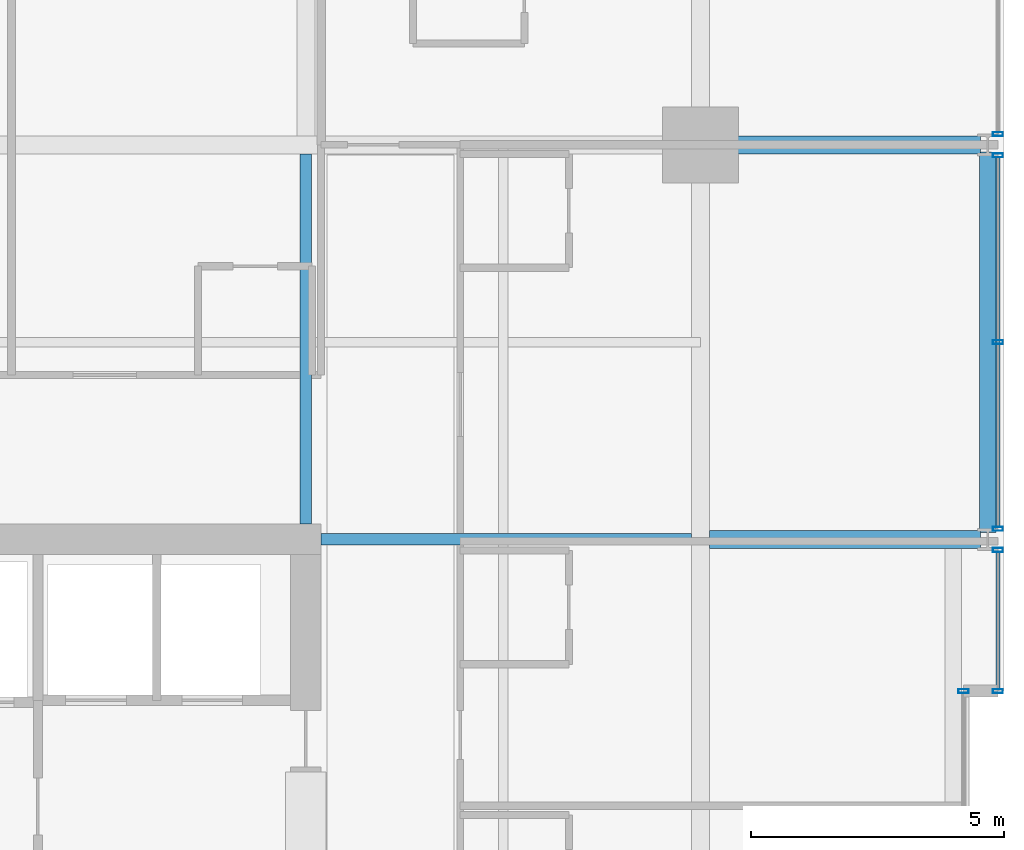
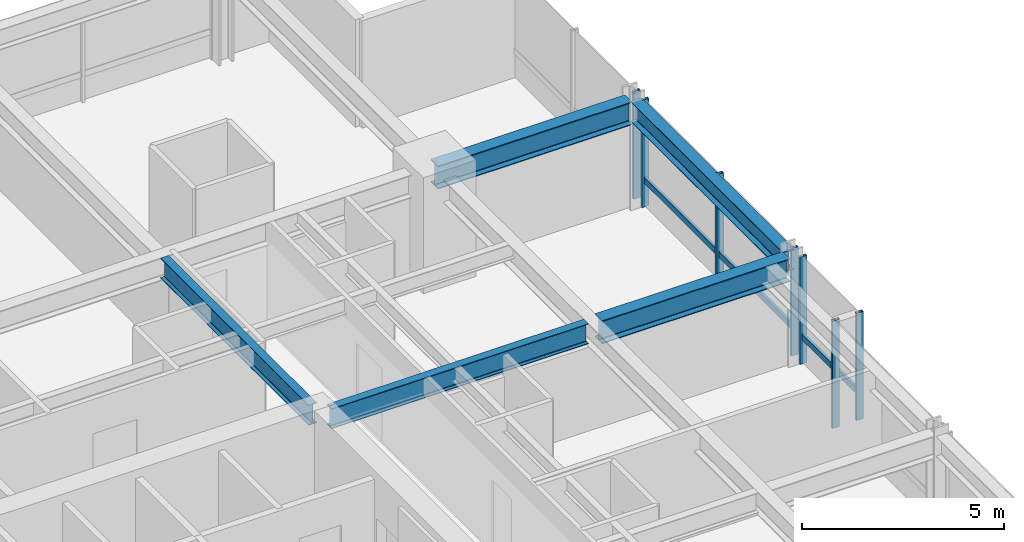
# One storey, part 23 of 35: 9 members, 5 beams, 4 elements without a shape of their own.
"""IFC4 building model written with IfcOpenShell, lengths in metres."""

from ifc_helpers import new_model, si_unit, direction, frame, origin, origin_2d, place, context, subcontext, project, spatial, hollow_rectangle, i_section, extrude, material, layer, layer_set, material_profile, profile_set, type_object, element, aggregate, save


model = new_model("IFC4")

# Units and contexts
model_context = context("Model", 3, precision=1e-05, world=origin(), true_north=direction((0.0, 1.0)))
body_context = subcontext(model_context, "Body", "Model", "MODEL_VIEW")
ifc_project = project(units=[si_unit("LENGTHUNIT", "METRE"), si_unit("AREAUNIT", "SQUARE_METRE"), si_unit("VOLUMEUNIT", "CUBIC_METRE"), si_unit("PLANEANGLEUNIT", "RADIAN"), si_unit("MASSUNIT", "GRAM", prefix="KILO")], contexts=[model_context])

# Site, building, storey
site_placement = place(None, origin())
site = spatial("IfcSite", under=ifc_project, at=site_placement, CompositionType="ELEMENT")
building_placement = place(site_placement, origin())
building = spatial("IfcBuilding", under=site, at=building_placement, Name="Drelvath Grand Hotel", CompositionType="ELEMENT")
storey_placement = place(building_placement, frame((0.0, 0.0, 123.300048828125)))
storey = spatial("IfcBuildingStorey", under=building, at=storey_placement, Name="L31", CompositionType="ELEMENT", Elevation=123.300048828125)

# Curtain wall, member
ifc_material_1 = material(Name="Champagne Bronze Anodised Aluminium Frame", Category="aluminium")
ifc_layer = layer(ifc_material_1, 0.199951171875)
ifc_layer_set = layer_set([ifc_layer], Name="Champagne Bronze Anodised Aluminium Frame")
curtain_wall_type = type_object("IfcCurtainWallType", Name="Stick Curtain Wall CW-03 Champagne Bronze Mid-Rise", PredefinedType="NOTDEFINED", material=ifc_layer_set)
curtain_wall_1_placement = place(storey_placement, origin())
curtain_wall_1 = element("IfcCurtainWall", 1, at=curtain_wall_1_placement, inside=storey, type_object=curtain_wall_type, Name="L31 CW-03 Curtain Wall CW03-L31-EN1", PredefinedType="NOTDEFINED")
ifc_material_profile_1 = material_profile(ifc_material_1, hollow_rectangle(XDim=0.074951171875, YDim=0.179931640625, WallThickness=0.0048828125, at=origin_2d()), Name="HSS180X75X5")
ifc_profile_set_1 = profile_set([ifc_material_profile_1], Name="Champagne Bronze Anodised Aluminium Frame")
member_type_1 = type_object("IfcMemberType", Name="Curtain Wall Horizontal Transom CW-03 HSS180X75X5", PredefinedType="USERDEFINED", material=ifc_profile_set_1)
member_1_placement = place(storey_placement, frame((22.080078125, 35.150634765625, 0.81005859375), z_axis=(0.0, -1.0, 0.0), x_axis=(1.0, 0.0, 0.0)))
member_1 = element("IfcMember", 2, at=member_1_placement, type_object=member_type_1, Name="CW03-L31-EN1 Sill Transom", ObjectType="TRANSOM", PredefinedType="USERDEFINED", context=body_context, shape_type="SweptSolid", body=[
    extrude(hollow_rectangle(XDim=0.074951171875, YDim=0.179931640625, WallThickness=0.0048828125, at=origin_2d()), origin(), (0.0, 0.0, 1.0), 2.710693359375),
])

curtain_wall_2_placement = place(storey_placement, origin())
curtain_wall_2 = element("IfcCurtainWall", 3, at=curtain_wall_2_placement, inside=storey, type_object=curtain_wall_type, Name="L31 CW-03 Curtain Wall CW03-L31-EN2", PredefinedType="NOTDEFINED")
member_2_placement = place(storey_placement, frame((22.080078125, 42.95068359375, 0.81005859375), z_axis=(0.0, -1.0, 0.0), x_axis=(1.0, 0.0, 0.0)))
member_2 = element("IfcMember", 4, at=member_2_placement, type_object=member_type_1, Name="CW03-L31-EN2 Sill Transom", ObjectType="TRANSOM", PredefinedType="USERDEFINED", context=body_context, shape_type="SweptSolid", body=[
    extrude(hollow_rectangle(XDim=0.074951171875, YDim=0.179931640625, WallThickness=0.0048828125, at=origin_2d()), origin(), (0.0, 0.0, 1.0), 7.30126953125),
])

# Member
ifc_material_profile_2 = material_profile(ifc_material_1, hollow_rectangle(XDim=0.080078125, YDim=0.199951171875, WallThickness=0.0048828125, at=origin_2d()), Name="HSS200X80X5")
ifc_profile_set_2 = profile_set([ifc_material_profile_2], Name="Champagne Bronze Anodised Aluminium Frame")
member_type_2 = type_object("IfcMemberType", Name="Curtain Wall Vertical Mullion CW-03 HSS200X80X5", PredefinedType="MULLION", material=ifc_profile_set_2)
member_3_placement = place(storey_placement, frame((22.080078125, 35.190673828125, 0.0), z_axis=(0.0, 0.0, 1.0), x_axis=(0.0, 1.0, 0.0)))
member_3 = element("IfcMember", 5, at=member_3_placement, type_object=member_type_2, Name="CW03-L31-EN1 Mullion 1", PredefinedType="MULLION", context=body_context, shape_type="SweptSolid", body=[
    extrude(hollow_rectangle(XDim=0.080078125, YDim=0.199951171875, WallThickness=0.0048828125, at=origin_2d()), origin(), (0.0, 0.0, 1.0), 3.239990234375),
])

member_4_placement = place(storey_placement, frame((22.080078125, 32.39990234375, 0.0), z_axis=(0.0, 0.0, 1.0), x_axis=(0.0, 1.0, 0.0)))
member_4 = element("IfcMember", 6, at=member_4_placement, type_object=member_type_2, Name="CW03-L31-EN1 Mullion 2", PredefinedType="MULLION", context=body_context, shape_type="SweptSolid", body=[
    extrude(hollow_rectangle(XDim=0.080078125, YDim=0.199951171875, WallThickness=0.0048828125, at=origin_2d()), origin(), (0.0, 0.0, 1.0), 3.239990234375),
])

aggregate(curtain_wall_1, [member_3, member_4, member_1])

member_5_placement = place(storey_placement, frame((22.080078125, 42.990478515625, 0.0), z_axis=(0.0, 0.0, 1.0), x_axis=(0.0, 1.0, 0.0)))
member_5 = element("IfcMember", 7, at=member_5_placement, type_object=member_type_2, Name="CW03-L31-EN2 Mullion 1", PredefinedType="MULLION", context=body_context, shape_type="SweptSolid", body=[
    extrude(hollow_rectangle(XDim=0.080078125, YDim=0.199951171875, WallThickness=0.0048828125, at=origin_2d()), origin(), (0.0, 0.0, 1.0), 3.239990234375),
])

member_6_placement = place(storey_placement, frame((22.080078125, 39.300048828125, 0.0), z_axis=(0.0, 0.0, 1.0), x_axis=(0.0, 1.0, 0.0)))
member_6 = element("IfcMember", 8, at=member_6_placement, type_object=member_type_2, Name="CW03-L31-EN2 Mullion 2", PredefinedType="MULLION", context=body_context, shape_type="SweptSolid", body=[
    extrude(hollow_rectangle(XDim=0.080078125, YDim=0.199951171875, WallThickness=0.0048828125, at=origin_2d()), origin(), (0.0, 0.0, 1.0), 3.239990234375),
])

member_7_placement = place(storey_placement, frame((22.080078125, 35.609375, 0.0), z_axis=(0.0, 0.0, 1.0), x_axis=(0.0, 1.0, 0.0)))
member_7 = element("IfcMember", 9, at=member_7_placement, type_object=member_type_2, Name="CW03-L31-EN2 Mullion 3", PredefinedType="MULLION", context=body_context, shape_type="SweptSolid", body=[
    extrude(hollow_rectangle(XDim=0.080078125, YDim=0.199951171875, WallThickness=0.0048828125, at=origin_2d()), origin(), (0.0, 0.0, 1.0), 3.239990234375),
])

aggregate(curtain_wall_2, [member_5, member_6, member_7, member_2])

# Curtain wall, member
curtain_wall_3_placement = place(storey_placement, origin())
curtain_wall_3 = element("IfcCurtainWall", 10, at=curtain_wall_3_placement, inside=storey, type_object=curtain_wall_type, Name="L31 CW-03 Curtain Wall CW03-L31-EN3", PredefinedType="NOTDEFINED")
member_8_placement = place(storey_placement, frame((22.080078125, 43.409423828125, 0.0), z_axis=(0.0, 0.0, 1.0), x_axis=(0.0, 1.0, 0.0)))
member_8 = element("IfcMember", 11, at=member_8_placement, type_object=member_type_2, Name="CW03-L31-EN3 Mullion 3", PredefinedType="MULLION", context=body_context, shape_type="SweptSolid", body=[
    extrude(hollow_rectangle(XDim=0.080078125, YDim=0.199951171875, WallThickness=0.0048828125, at=origin_2d()), origin(), (0.0, 0.0, 1.0), 3.239990234375),
])
aggregate(curtain_wall_3, [member_8])

curtain_wall_4_placement = place(storey_placement, origin())
curtain_wall_4 = element("IfcCurtainWall", 12, at=curtain_wall_4_placement, inside=storey, type_object=curtain_wall_type, Name="L31 CW-03 Curtain Wall CW03-L31-EM2", PredefinedType="NOTDEFINED")
member_9_placement = place(storey_placement, frame((21.39990234375, 32.39990234375, 0.0), z_axis=(0.0, 0.0, 1.0), x_axis=(0.0, 1.0, 0.0)))
member_9 = element("IfcMember", 13, at=member_9_placement, type_object=member_type_2, Name="CW03-L31-EM2 Mullion 1", PredefinedType="MULLION", context=body_context, shape_type="SweptSolid", body=[
    extrude(hollow_rectangle(XDim=0.080078125, YDim=0.199951171875, WallThickness=0.0048828125, at=origin_2d()), origin(), (0.0, 0.0, 1.0), 3.239990234375),
])
aggregate(curtain_wall_4, [member_9])

# Beams
ifc_material_2 = material(Name="Steel ASTM A992 Gr 50", Category="steel")
ifc_material_profile_3 = material_profile(ifc_material_2, i_section(OverallWidth=0.323974609375, OverallDepth=0.611083984375, WebThickness=0.0126953125, FlangeThickness=0.01904296875, FilletRadius=0.02197265625, at=origin_2d()), Name="W24X104")
ifc_profile_set_3 = profile_set([ifc_material_profile_3], Name="Steel ASTM A992 Gr 50")
beam_type_1 = type_object("IfcBeamType", Name="Perimeter Spandrel Beam W24X104", PredefinedType="SPANDREL", material=ifc_profile_set_3)
beam_1_placement = place(storey_placement, frame((21.8798828125, 35.5400390625, 2.9345703125), z_axis=(0.0, 1.0, 0.0), x_axis=(-1.0, 0.0, 0.0)))
element("IfcBeam", 14, at=beam_1_placement, inside=storey, type_object=beam_type_1, Name="L31 Spandrel East N", PredefinedType="SPANDREL", context=body_context, shape_type="SweptSolid", body=[
    extrude(i_section(OverallWidth=0.323974609375, OverallDepth=0.611083984375, WebThickness=0.0126953125, FlangeThickness=0.01904296875, FilletRadius=0.02197265625, at=origin_2d()), origin(), (0.0, 0.0, 1.0), 7.52001953125),
])
ifc_material_profile_4 = material_profile(ifc_material_2, i_section(OverallWidth=0.228271484375, OverallDepth=0.607666015625, WebThickness=0.01123046875, FlangeThickness=0.017333984375, FilletRadius=0.02001953125, at=origin_2d()), Name="W24X76")
ifc_profile_set_4 = profile_set([ifc_material_profile_4], Name="Steel ASTM A992 Gr 50")
beam_type_2 = type_object("IfcBeamType", Name="Primary Floor Girder W24X76", PredefinedType="BEAM", material=ifc_profile_set_4)
for number, where, z_axis, x_axis, name in (
    (15, (8.699951171875, 35.39990234375, 2.93603515625), (1.0, 0.0, 0.0), (0.0, 1.0, 0.0), "L31 East Core Tie F"),
    (16, (8.39990234375, 35.699951171875, 2.93603515625), (0.0, 1.0, 0.0), (-1.0, 0.0, 0.0), "L31 North Core Tie 6"),
):
    element("IfcBeam", number, at=place(storey_placement, frame(where, z_axis=z_axis, x_axis=x_axis)), inside=storey, type_object=beam_type_2, Name=name, PredefinedType="BEAM", context=body_context, shape_type="SweptSolid", body=[
        extrude(i_section(OverallWidth=0.228271484375, OverallDepth=0.607666015625, WebThickness=0.01123046875, FlangeThickness=0.017333984375, FilletRadius=0.02001953125, at=origin_2d()), origin(), (0.0, 0.0, 1.0), 7.32275390625),
    ])
ifc_material_profile_5 = material_profile(ifc_material_2, i_section(OverallWidth=0.354736328125, OverallDepth=0.695556640625, WebThickness=0.015380859375, FlangeThickness=0.025146484375, FilletRadius=0.02392578125, at=origin_2d()), Name="W27X146")
ifc_profile_set_5 = profile_set([ifc_material_profile_5], Name="Steel ASTM A992 Gr 50")
beam_type_3 = type_object("IfcBeamType", Name="Primary Floor Girder W27X146", PredefinedType="BEAM", material=ifc_profile_set_5)
beam_2_placement = place(storey_placement, frame((16.199951171875, 43.199951171875, 2.892333984375), z_axis=(1.0, 0.0, 0.0), x_axis=(0.0, 1.0, 0.0)))
element("IfcBeam", 17, at=beam_2_placement, inside=storey, type_object=beam_type_3, Name="L31 East Grid Girder G", PredefinedType="BEAM", context=body_context, shape_type="SweptSolid", body=[
    extrude(i_section(OverallWidth=0.354736328125, OverallDepth=0.695556640625, WebThickness=0.015380859375, FlangeThickness=0.025146484375, FilletRadius=0.02392578125, at=origin_2d()), origin(), (0.0, 0.0, 1.0), 5.5400390625),
])
beam_3_placement = place(storey_placement, frame((16.37744140625, 35.39990234375, 2.892333984375), z_axis=(1.0, 0.0, 0.0), x_axis=(0.0, 1.0, 0.0)))
element("IfcBeam", 18, at=beam_3_placement, inside=storey, type_object=beam_type_3, Name="L31 East Wing Girder F", PredefinedType="BEAM", context=body_context, shape_type="SweptSolid", body=[
    extrude(i_section(OverallWidth=0.354736328125, OverallDepth=0.695556640625, WebThickness=0.015380859375, FlangeThickness=0.025146484375, FilletRadius=0.02392578125, at=origin_2d()), origin(), (0.0, 0.0, 1.0), 5.362548828125),
])

save(model, "model.ifc")
